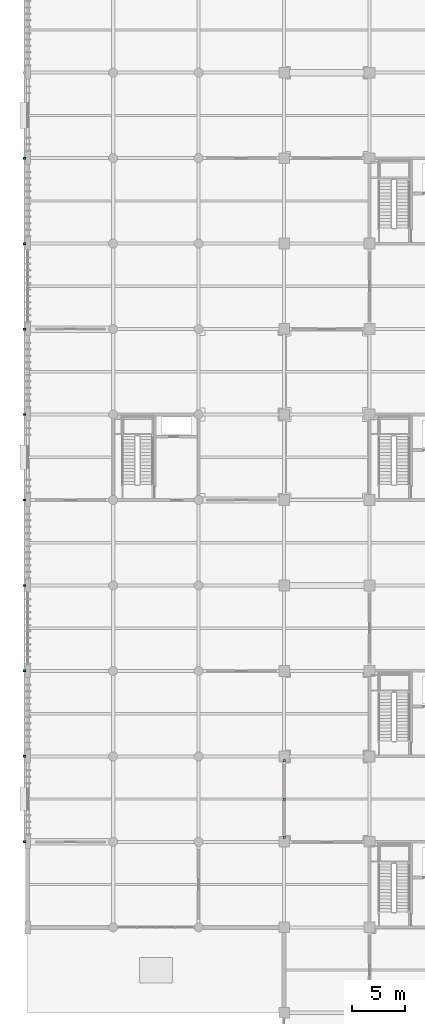
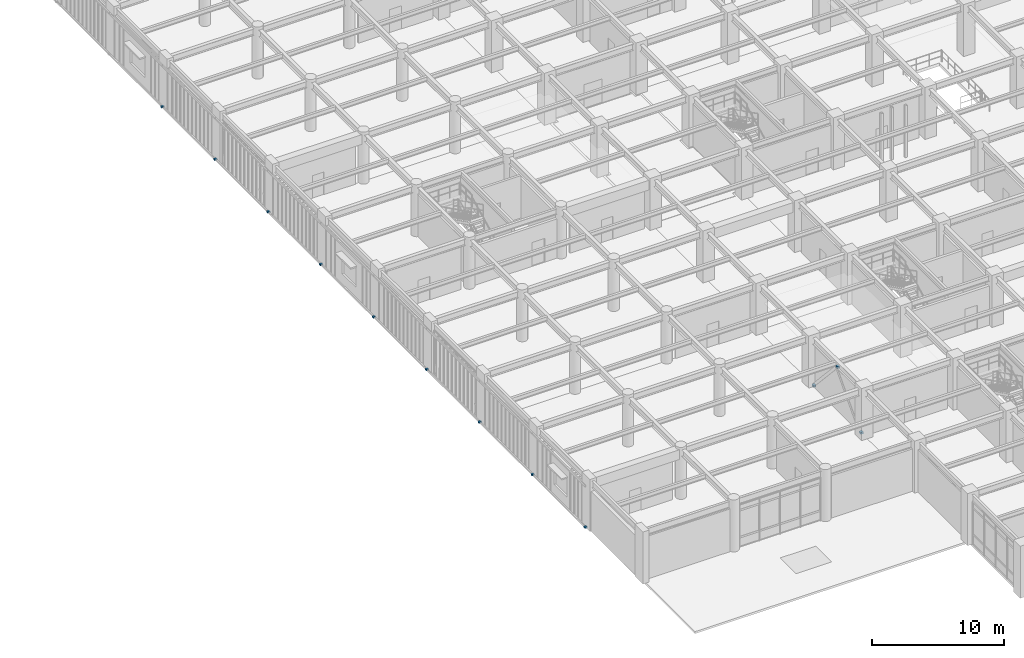
# One storey, part 88 of 117: 12 discrete accessories.
"""IFC4 building model written with IfcOpenShell, lengths in metres."""

from ifc_helpers import new_model, si_unit, direction, frame, origin, origin_2d, place, context, subcontext, project, spatial, rectangle, extrude, material, layer, layer_set, type_object, element, save


model = new_model("IFC4")

# Units and contexts
model_context = context("Model", 3, precision=1e-05, world=origin(), true_north=direction((0.0, 1.0)))
body_context = subcontext(model_context, "Body", "Model", "MODEL_VIEW")
ifc_project = project(units=[si_unit("LENGTHUNIT", "METRE"), si_unit("AREAUNIT", "SQUARE_METRE"), si_unit("VOLUMEUNIT", "CUBIC_METRE"), si_unit("PLANEANGLEUNIT", "RADIAN"), si_unit("MASSUNIT", "GRAM", prefix="KILO")], contexts=[model_context])

# Site, building, storey
site_placement = place(None, origin())
site = spatial("IfcSite", under=ifc_project, at=site_placement, CompositionType="ELEMENT")
building_placement = place(site_placement, origin())
building = spatial("IfcBuilding", under=site, at=building_placement, Name="Haebicheon Civic Stadium", CompositionType="ELEMENT")
storey_placement = place(building_placement, frame((0.0, 0.0, 4.800048828125)))
storey = spatial("IfcBuildingStorey", under=building, at=storey_placement, Name="L02", CompositionType="ELEMENT", Elevation=4.800048828125)

# Discrete accessories
ifc_material_1 = material(Name="White painted steel SM490", Category="steel")
ifc_layer_1 = layer(ifc_material_1, 0.179931640625, Name="White painted steel SM490")
ifc_layer_set_1 = layer_set([ifc_layer_1], Name="White painted steel SM490")
discrete_accessory_type_1 = type_object("IfcDiscreteAccessoryType", Name="BRK-END-PLT", PredefinedType="BRACKET", material=ifc_layer_set_1)
for number, where, z_axis, x_axis, name in (
    (1, (24.0, 48.419921875, -0.0498046875), (0.0, 0.0, 1.0), (1.0, 0.0, 0.0), "Brace L02-03-06 bolted end connection plate"),
    (2, (24.0, 55.580078125, -0.0498046875), (0.0, 0.0, 1.0), (1.0, 0.0, 0.0), "Brace L02-03-06 bolted end connection plate"),
    (3, (24.0, 52.0, 3.85009765625), (0.0, 0.0, 1.0), (1.0, 0.0, 0.0), "Brace L02-03-06 bolted end connection plate"),
):
    element("IfcDiscreteAccessory", number, at=place(storey_placement, frame(where, z_axis=z_axis, x_axis=x_axis)), inside=storey, type_object=discrete_accessory_type_1, material=ifc_layer_set_1, Name=name, PredefinedType="BRACKET", context=body_context, shape_type="SweptSolid", body=[
        extrude(rectangle(XDim=0.239990234375, YDim=0.239990234375, at=origin_2d()), origin(), (0.0, 0.0, 1.0), 0.179931640625),
    ])
ifc_material_2 = material(Name="Stainless steel 316", Category="steel")
ifc_layer_2 = layer(ifc_material_2, 0.139892578125, Name="Stainless steel 316")
ifc_layer_set_2 = layer_set([ifc_layer_2], Name="Stainless steel 316")
discrete_accessory_type_2 = type_object("IfcDiscreteAccessoryType", Name="BRK-LVR-CLEAT", PredefinedType="BRACKET", material=ifc_layer_set_2)
for number, where, z_axis, x_axis, name in (
    (4, (-0.31494140625, 48.0, 0.009765625), (0.0, 0.0, 1.0), (1.0, 0.0, 0.0), "SCR-BOUL L02 stainless bracket cleat 1A"),
    (5, (-0.31494140625, 56.0, 0.009765625), (0.0, 0.0, 1.0), (1.0, 0.0, 0.0), "SCR-BOUL L02 stainless bracket cleat 1B"),
    (6, (-0.31494140625, 64.0, 0.009765625), (0.0, 0.0, 1.0), (1.0, 0.0, 0.0), "SCR-BOUL L02 stainless bracket cleat 2B"),
    (7, (-0.31494140625, 72.0, 0.009765625), (0.0, 0.0, 1.0), (1.0, 0.0, 0.0), "SCR-BOUL L02 stainless bracket cleat 3B"),
    (8, (-0.31494140625, 80.0, 0.009765625), (0.0, 0.0, 1.0), (1.0, 0.0, 0.0), "SCR-BOUL L02 stainless bracket cleat 4B"),
    (9, (-0.31494140625, 88.0, 0.009765625), (0.0, 0.0, 1.0), (1.0, 0.0, 0.0), "SCR-BOUL L02 stainless bracket cleat 5B"),
    (10, (-0.31494140625, 96.0, 0.009765625), (0.0, 0.0, 1.0), (1.0, 0.0, 0.0), "SCR-BOUL L02 stainless bracket cleat 6B"),
    (11, (-0.31494140625, 104.0, 0.009765625), (0.0, 0.0, 1.0), (1.0, 0.0, 0.0), "SCR-BOUL L02 stainless bracket cleat 7B"),
    (12, (-0.31494140625, 112.0, 0.009765625), (0.0, 0.0, 1.0), (1.0, 0.0, 0.0), "SCR-BOUL L02 stainless bracket cleat 8B"),
):
    element("IfcDiscreteAccessory", number, at=place(storey_placement, frame(where, z_axis=z_axis, x_axis=x_axis)), inside=storey, type_object=discrete_accessory_type_2, material=ifc_layer_set_2, Name=name, PredefinedType="BRACKET", context=body_context, shape_type="SweptSolid", body=[
        extrude(rectangle(XDim=0.239990234375, YDim=0.179931640625, at=origin_2d()), origin(), (0.0, 0.0, 1.0), 0.139892578125),
    ])

save(model, "model.ifc")
